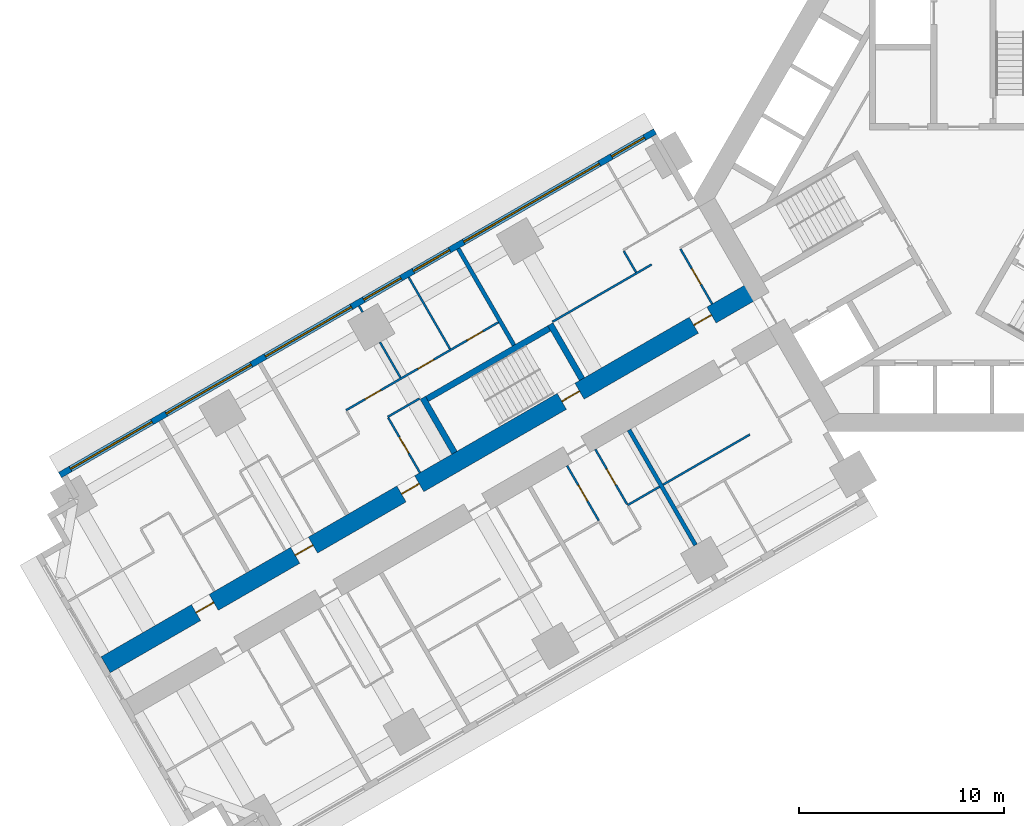
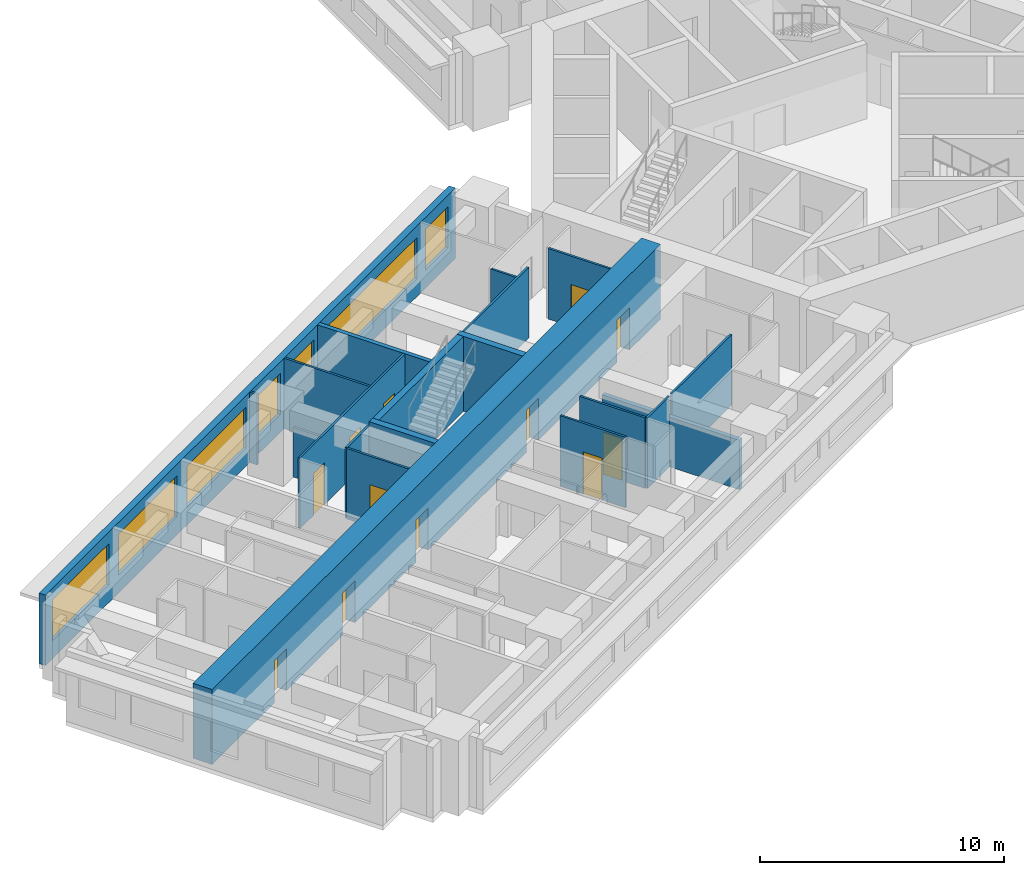
# One storey, part 5 of 16: 20 walls, 12 doors, 7 windows, 19 openings.
"""IFC4 building model written with IfcOpenShell, lengths in metres."""

import ifcopenshell
import ifcopenshell.guid

model = None  # the IFC model being written
_history = None  # IfcOwnerHistory: only IFC2X3 demands one
_inside = {}  # id of a spatial element -> (the spatial element, [elements in it])
_under = {}  # id of a project, library or spatial element -> (it, [spatial elements below it])
_declared = {}  # id of a project -> (the project, [libraries it declares])
_typed = {}  # id of a type object -> (the type object, [elements of that type])
_made_of = {}  # id of a material, layer set ... -> (it, [elements and type objects made of it])


def new_model(schema):
    """Start an empty IFC model of exactly this schema.

    Asked for "IFC4X3", IfcOpenShell would pick the latest addendum, in which some entities
    have other attributes; the version numbers below select the first issue.
    IFC2X3 requires an IfcOwnerHistory on every rooted entity: one is made here for all.
    """
    global model, _history
    if schema == "IFC4X3":
        model = ifcopenshell.file(schema_version=(4, 3, 0, 0))
    else:
        model = ifcopenshell.file(schema=schema)
    _inside.clear()
    _under.clear()
    _declared.clear()
    _typed.clear()
    _made_of.clear()
    _history = None
    if model.schema == "IFC2X3":
        org = make("IfcOrganization", Name="unknown")
        user = make(
            "IfcPersonAndOrganization",
            ThePerson=make("IfcPerson", FamilyName="unknown"),
            TheOrganization=org,
        )
        app = make(
            "IfcApplication",
            ApplicationDeveloper=org,
            Version="unknown",
            ApplicationFullName="unknown",
            ApplicationIdentifier="unknown",
        )
        _history = make(
            "IfcOwnerHistory",
            OwningUser=user,
            OwningApplication=app,
            ChangeAction="ADDED",
            CreationDate=0,
        )
    return model


def make(cls, **values):
    """One entity of the class cls with the attributes given. An attribute that is None is left unset."""
    return model.create_entity(
        cls, **{name: value for name, value in values.items() if value is not None}
    )


def rooted(cls, **values):
    """An entity with a GlobalId (a new one), such as an element, a storey or a relation."""
    return make(cls, GlobalId=ifcopenshell.guid.new(), OwnerHistory=_history, **values)


def si_unit(unit_type, name, prefix=None):
    """IfcSIUnit, for example si_unit("LENGTHUNIT", "METRE", prefix="MILLI")."""
    return make("IfcSIUnit", UnitType=unit_type, Prefix=prefix, Name=name)


def assignment(units):
    """IfcUnitAssignment: the units of a project."""
    return None if units is None else make("IfcUnitAssignment", Units=units)


def point(xyz):
    """IfcCartesianPoint."""
    return None if xyz is None else make("IfcCartesianPoint", Coordinates=xyz)


def direction(xyz):
    """IfcDirection."""
    return None if xyz is None else make("IfcDirection", DirectionRatios=xyz)


def frame(location, z_axis=None, x_axis=None):
    """IfcAxis2Placement3D, a coordinate frame: its origin and axes. An axis left out is left unset."""
    return make(
        "IfcAxis2Placement3D",
        Location=point(location),
        Axis=direction(z_axis),
        RefDirection=direction(x_axis),
    )


def frame_2d(location, x_axis=None):
    """IfcAxis2Placement2D, a coordinate frame in the plane: its origin and x axis."""
    return make(
        "IfcAxis2Placement2D", Location=point(location), RefDirection=direction(x_axis)
    )


def origin():
    """The frame at (0, 0, 0) with its axes left unset."""
    return frame((0.0, 0.0, 0.0))


def place(relative_to, where):
    """IfcLocalPlacement: puts the frame where relative to a parent placement (None: the world)."""
    return make(
        "IfcLocalPlacement", PlacementRelTo=relative_to, RelativePlacement=where
    )


def context(
    kind, dimensions, precision=None, world=None, true_north=None, identifier=None
):
    """IfcGeometricRepresentationContext, for example the 3D "Model" context."""
    return make(
        "IfcGeometricRepresentationContext",
        ContextIdentifier=identifier,
        ContextType=kind,
        CoordinateSpaceDimension=dimensions,
        Precision=precision,
        WorldCoordinateSystem=world,
        TrueNorth=true_north,
    )


def subcontext(parent, identifier, kind, view, scale=None):
    """IfcGeometricRepresentationSubContext, for example "Body" below "Model"."""
    return make(
        "IfcGeometricRepresentationSubContext",
        ContextIdentifier=identifier,
        ContextType=kind,
        ParentContext=parent,
        TargetScale=scale,
        TargetView=view,
    )


def project(units=None, contexts=None):
    """IfcProject with its units and contexts."""
    return rooted(
        "IfcProject",
        Name="project",
        RepresentationContexts=contexts,
        UnitsInContext=assignment(units),
    )


def spatial(cls, under=None, at=None, **own):
    """A site, building, storey or space (cls), placed at a placement, below another one or the project."""
    s = rooted(cls, ObjectPlacement=at, **own)
    if under is not None:
        _under.setdefault(under.id(), (under, []))[1].append(s)
    return s


def profile(cls, at=None, kind="AREA", **sizes):
    """A parametric profile (cls). Its sizes go by their IFC names, for example OverallWidth=200.0."""
    return make(cls, ProfileType=kind, Position=at, **sizes)


def rectangle(**sizes):
    """IfcRectangleProfileDef."""
    return profile("IfcRectangleProfileDef", **sizes)


def extrude(swept, where, along, depth):
    """IfcExtrudedAreaSolid: the profile swept, set in the frame where, extruded along a direction by depth."""
    return make(
        "IfcExtrudedAreaSolid",
        SweptArea=swept,
        Position=where,
        ExtrudedDirection=direction(along),
        Depth=depth,
    )


def shape(context_of_items, identifier, shape_type, items):
    """IfcShapeRepresentation: the items that make up one representation, for example the "Body"."""
    return make(
        "IfcShapeRepresentation",
        ContextOfItems=context_of_items,
        RepresentationIdentifier=identifier,
        RepresentationType=shape_type,
        Items=items,
    )


def material(Name=None, Category=None):
    """IfcMaterial."""
    return make("IfcMaterial", Name=Name, Category=Category)


def layer(
    of_material, thickness, ventilated=None, Name=None, Category=None, Priority=None
):
    """IfcMaterialLayer: one layer of a wall or slab, of a material (None: an air gap)."""
    return make(
        "IfcMaterialLayer",
        Material=of_material,
        LayerThickness=thickness,
        IsVentilated=ventilated,
        Name=Name,
        Category=Category,
        Priority=Priority,
    )


def layer_set(layers, Name=None):
    """IfcMaterialLayerSet."""
    return make("IfcMaterialLayerSet", MaterialLayers=layers, LayerSetName=Name)


def made_of(thing, what):
    """Note that an element or type object is made of a material, layer set ...; save() writes the relation."""
    if what is not None:
        _made_of.setdefault(what.id(), (what, []))[1].append(thing)
    return thing


def type_object(cls, material=None, **own):
    """A type object (cls), such as IfcWallType, which elements share."""
    return made_of(rooted(cls, **own), material)


def element(
    cls,
    number,
    at=None,
    inside=None,
    cuts=None,
    type_object=None,
    material=None,
    context=None,
    identifier="Body",
    shape_type=None,
    held_by="IfcProductDefinitionShape",
    body=None,
    shapes=None,
    **own,
):
    """One element of the class cls, such as IfcWall. Its Tag is "e" and its number.

    at: its placement. inside: the storey or other place that contains it. cuts: it is an
    opening in that element (IfcRelVoidsElement). A single representation is given by context,
    identifier, shape_type and body (its items); several are given by shapes. held_by: the class
    of the entity that holds the representations. save() writes the other relations.
    """
    e = rooted(cls, Tag="e%d" % number, ObjectPlacement=at, **own)
    if body is not None:
        shapes = [shape(context, identifier, shape_type, body)]
    if shapes is not None:
        e.Representation = make(held_by, Representations=shapes)
    if inside is not None:
        _inside.setdefault(inside.id(), (inside, []))[1].append(e)
    if cuts is not None:
        rooted(
            "IfcRelVoidsElement", RelatingBuildingElement=cuts, RelatedOpeningElement=e
        )
    if type_object is not None:
        _typed.setdefault(type_object.id(), (type_object, []))[1].append(e)
    return made_of(e, material)


def fill(opening, filler):
    """IfcRelFillsElement: the door or window that sits in an opening."""
    return rooted(
        "IfcRelFillsElement",
        RelatingOpeningElement=opening,
        RelatedBuildingElement=filler,
    )


def aggregate(whole, parts):
    """IfcRelAggregates: a whole, such as a stair, and the parts it consists of."""
    return rooted("IfcRelAggregates", RelatingObject=whole, RelatedObjects=parts)


def save(model, path):
    """Write the relations noted so far, then the file.

    IfcRelAggregates (storeys below a building ...), IfcRelContainedInSpatialStructure (elements
    in a storey), IfcRelDefinesByType, IfcRelAssociatesMaterial and IfcRelDeclares: one each for
    every whole, place, type object, material and project.
    """
    for whole, parts in _under.values():
        aggregate(whole, parts)
    for where, things in _inside.values():
        rooted(
            "IfcRelContainedInSpatialStructure",
            RelatedElements=things,
            RelatingStructure=where,
        )
    for kind, things in _typed.values():
        rooted("IfcRelDefinesByType", RelatedObjects=things, RelatingType=kind)
    for what, things in _made_of.values():
        rooted("IfcRelAssociatesMaterial", RelatedObjects=things, RelatingMaterial=what)
    for by, libraries in _declared.values():
        rooted("IfcRelDeclares", RelatingContext=by, RelatedDefinitions=libraries)
    model.write(path)


model = new_model("IFC4")

# Units and contexts
model_context = context("Model", 3, precision=1e-05, world=origin(), true_north=direction((0.0, 1.0)))
body_context = subcontext(model_context, "Body", "Model", "MODEL_VIEW")
ifc_project = project(units=[si_unit("LENGTHUNIT", "METRE"), si_unit("AREAUNIT", "SQUARE_METRE"), si_unit("VOLUMEUNIT", "CUBIC_METRE"), si_unit("PLANEANGLEUNIT", "RADIAN"), si_unit("MASSUNIT", "GRAM", prefix="KILO")], contexts=[model_context])

# Site, building, storey
site_placement = place(None, origin())
site = spatial("IfcSite", under=ifc_project, at=site_placement, CompositionType="ELEMENT")
building_placement = place(site_placement, origin())
building = spatial("IfcBuilding", under=site, at=building_placement, Name="Impinga Residences", CompositionType="ELEMENT")
storey_placement = place(building_placement, frame((0.0, 0.0, 48.5)))
storey = spatial("IfcBuildingStorey", under=building, at=storey_placement, Name="L11", CompositionType="ELEMENT", Elevation=48.5)

# Wall, openings, doors
ifc_material_1 = material(Name="Concrete C70/85", Category="concrete")
ifc_layer_1 = layer(ifc_material_1, 0.89990234375)
ifc_layer_set_1 = layer_set([ifc_layer_1], Name="Concrete C70/85")
wall_type_1 = type_object("IfcWallType", Name="BW1 corridor buttress wall, L05 to L22 900", PredefinedType="SHEAR", material=ifc_layer_set_1)
wall_1_placement = place(storey_placement, frame((-10.1103515625, -4.451416015625, 0.0), z_axis=(0.0, 0.0, 1.0), x_axis=(-0.866025284237, -0.500000207062, 0.0)))
wall_1 = element("IfcWall", 1, at=wall_1_placement, inside=storey, type_object=wall_type_1, Name="Corridor wall BW1 WD L11", PredefinedType="SHEAR", context=body_context, shape_type="SweptSolid", body=[
    extrude(rectangle(XDim=36.75, YDim=0.89990234375, at=frame_2d((18.375, 0.0))), origin(), (0.0, 0.0, 1.0), 3.75),
])
opening_1_placement = place(wall_1_placement, frame((10.0, 0.0, 0.0)))
opening_1 = element("IfcOpeningElement", 2, at=opening_1_placement, cuts=wall_1, Name="Opening D5", PredefinedType="OPENING", context=body_context, shape_type="SweptSolid", body=[
    extrude(rectangle(XDim=1.0, YDim=2.10009765625, at=frame_2d((0.5, 1.050048828125))), frame((0.0, 0.4599609375, 0.0), z_axis=(0.0, -1.0, 0.0), x_axis=(1.0, 0.0, 0.0)), (0.0, 0.0, 1.0), 0.919921875),
])
opening_2_placement = place(wall_1_placement, frame((2.550048828125, 0.0, 0.0)))
opening_2 = element("IfcOpeningElement", 3, at=opening_2_placement, cuts=wall_1, Name="Opening D1", PredefinedType="OPENING", context=body_context, shape_type="SweptSolid", body=[
    extrude(rectangle(XDim=1.0, YDim=2.10009765625, at=frame_2d((0.5, 1.050048828125))), frame((0.0, 0.4599609375, 0.0), z_axis=(0.0, -1.0, 0.0), x_axis=(1.0, 0.0, 0.0)), (0.0, 0.0, 1.0), 0.919921875),
])
opening_3_placement = place(wall_1_placement, frame((19.050048828125, 0.0, 0.0)))
opening_3 = element("IfcOpeningElement", 4, at=opening_3_placement, cuts=wall_1, Name="Opening D1", PredefinedType="OPENING", context=body_context, shape_type="SweptSolid", body=[
    extrude(rectangle(XDim=1.0, YDim=2.10009765625, at=frame_2d((0.5, 1.050048828125))), frame((0.0, 0.4599609375, 0.0), z_axis=(0.0, -1.0, 0.0), x_axis=(1.0, 0.0, 0.0)), (0.0, 0.0, 1.0), 0.919921875),
])
opening_4_placement = place(wall_1_placement, frame((25.050048828125, 0.0, 0.0)))
opening_4 = element("IfcOpeningElement", 5, at=opening_4_placement, cuts=wall_1, Name="Opening D1", PredefinedType="OPENING", context=body_context, shape_type="SweptSolid", body=[
    extrude(rectangle(XDim=1.0, YDim=2.10009765625, at=frame_2d((0.5, 1.050048828125))), frame((0.0, 0.4599609375, 0.0), z_axis=(0.0, -1.0, 0.0), x_axis=(1.0, 0.0, 0.0)), (0.0, 0.0, 1.0), 0.919921875),
])
opening_5_placement = place(wall_1_placement, frame((30.64990234375, 0.0, 0.0)))
opening_5 = element("IfcOpeningElement", 6, at=opening_5_placement, cuts=wall_1, Name="Opening D1", PredefinedType="OPENING", context=body_context, shape_type="SweptSolid", body=[
    extrude(rectangle(XDim=1.0, YDim=2.10009765625, at=frame_2d((0.5, 1.050048828125))), frame((0.0, 0.4599609375, 0.0), z_axis=(0.0, -1.0, 0.0), x_axis=(1.0, 0.0, 0.0)), (0.0, 0.0, 1.0), 0.919921875),
])
ifc_material_2 = material(Name="Timber door set", Category="wood")
door_type_1 = type_object("IfcDoorType", Name="D1 apartment entrance door 1000x2100", OperationType="SINGLE_SWING_LEFT", PredefinedType="DOOR", material=ifc_material_2)
door_1_placement = place(opening_2_placement, origin())
door_1 = element("IfcDoor", 7, at=door_1_placement, inside=storey, type_object=door_type_1, Name="Apartment L11-WF1 entrance", OperationType="SINGLE_SWING_LEFT", OverallHeight=2.10009765625, OverallWidth=1.0, PredefinedType="DOOR", context=body_context, shape_type="SweptSolid", body=[
    extrude(rectangle(XDim=1.0, YDim=2.10009765625, at=frame_2d((0.5, 1.050048828125))), frame((0.0, 0.02490234375, 0.0), z_axis=(0.0, -1.0, 0.0), x_axis=(1.0, 0.0, 0.0)), (0.0, 0.0, 1.0), 0.050048828125),
])
fill(opening_2, door_1)
door_2_placement = place(opening_3_placement, origin())
door_2 = element("IfcDoor", 8, at=door_2_placement, inside=storey, type_object=door_type_1, Name="Apartment L11-WF2 entrance", OperationType="SINGLE_SWING_RIGHT", OverallHeight=2.10009765625, OverallWidth=1.0, PredefinedType="DOOR", context=body_context, shape_type="SweptSolid", body=[
    extrude(rectangle(XDim=1.0, YDim=2.10009765625, at=frame_2d((0.5, 1.050048828125))), frame((0.0, 0.02490234375, 0.0), z_axis=(0.0, -1.0, 0.0), x_axis=(1.0, 0.0, 0.0)), (0.0, 0.0, 1.0), 0.050048828125),
])
fill(opening_3, door_2)
door_3_placement = place(opening_4_placement, origin())
door_3 = element("IfcDoor", 9, at=door_3_placement, inside=storey, type_object=door_type_1, Name="Apartment L11-WF3 entrance", OperationType="SINGLE_SWING_RIGHT", OverallHeight=2.10009765625, OverallWidth=1.0, PredefinedType="DOOR", context=body_context, shape_type="SweptSolid", body=[
    extrude(rectangle(XDim=1.0, YDim=2.10009765625, at=frame_2d((0.5, 1.050048828125))), frame((0.0, 0.02490234375, 0.0), z_axis=(0.0, -1.0, 0.0), x_axis=(1.0, 0.0, 0.0)), (0.0, 0.0, 1.0), 0.050048828125),
])
fill(opening_4, door_3)
door_4_placement = place(opening_5_placement, origin())
door_4 = element("IfcDoor", 10, at=door_4_placement, inside=storey, type_object=door_type_1, Name="Apartment L11-WF4 entrance", OperationType="SINGLE_SWING_RIGHT", OverallHeight=2.10009765625, OverallWidth=1.0, PredefinedType="DOOR", context=body_context, shape_type="SweptSolid", body=[
    extrude(rectangle(XDim=1.0, YDim=2.10009765625, at=frame_2d((0.5, 1.050048828125))), frame((0.0, 0.02490234375, 0.0), z_axis=(0.0, -1.0, 0.0), x_axis=(1.0, 0.0, 0.0)), (0.0, 0.0, 1.0), 0.050048828125),
])
fill(opening_5, door_4)
door_type_2 = type_object("IfcDoorType", Name="D5 stair door 1000x2100", OperationType="SINGLE_SWING_LEFT", PredefinedType="DOOR", material=ifc_material_2)
door_5_placement = place(opening_1_placement, origin())
door_5 = element("IfcDoor", 11, at=door_5_placement, inside=storey, type_object=door_type_2, Name="Wing stair door W", OperationType="SINGLE_SWING_LEFT", OverallHeight=2.10009765625, OverallWidth=1.0, PredefinedType="DOOR", context=body_context, shape_type="SweptSolid", body=[
    extrude(rectangle(XDim=1.0, YDim=2.10009765625, at=frame_2d((0.5, 1.050048828125))), frame((0.0, 0.02490234375, 0.0), z_axis=(0.0, -1.0, 0.0), x_axis=(1.0, 0.0, 0.0)), (0.0, 0.0, 1.0), 0.050048828125),
])
fill(opening_1, door_5)

# Wall, openings, windows
ifc_material_3 = material(Name="Terracotta rainscreen on blockwork", Category="masonry")
ifc_layer_2 = layer(ifc_material_3, 0.300048828125)
ifc_layer_set_2 = layer_set([ifc_layer_2], Name="EW1 external wall, terracotta rainscreen on blockwork 300")
wall_type_2 = type_object("IfcWallType", Name="EW1 external wall, terracotta rainscreen on blockwork 300", PredefinedType="SOLIDWALL", material=ifc_layer_set_2)
wall_2_placement = place(storey_placement, frame((-44.17333984375, -13.552490234375, 0.0), z_axis=(0.0, 0.0, 1.0), x_axis=(0.866024291668, 0.500001926238, 0.0)))
wall_2 = element("IfcWall", 12, at=wall_2_placement, inside=storey, type_object=wall_type_2, Name="External wall EW1 L11", PredefinedType="SOLIDWALL", context=body_context, shape_type="SweptSolid", body=[
    extrude(rectangle(XDim=33.599853515625, YDim=0.300048828125, at=frame_2d((16.7998046875, 0.0))), origin(), (0.0, 0.0, 1.0), 3.530029296875),
])
opening_6_placement = place(wall_2_placement, frame((0.60009765625, 0.0, 0.89990234375)))
opening_6 = element("IfcOpeningElement", 13, at=opening_6_placement, cuts=wall_2, Name="Opening W3", PredefinedType="OPENING", context=body_context, shape_type="SweptSolid", body=[
    extrude(rectangle(XDim=4.60009765625, YDim=2.050048828125, at=frame_2d((2.300048828125, 1.02490234375))), frame((0.0, 0.159912109375, 0.0), z_axis=(0.0, -1.0, 0.0), x_axis=(1.0, 0.0, 0.0)), (0.0, 0.0, 1.0), 0.320068359375),
])
opening_7_placement = place(wall_2_placement, frame((6.0, 0.0, 0.89990234375)))
opening_7 = element("IfcOpeningElement", 14, at=opening_7_placement, cuts=wall_2, Name="Opening W8", PredefinedType="OPENING", context=body_context, shape_type="SweptSolid", body=[
    extrude(rectangle(XDim=4.800048828125, YDim=2.050048828125, at=frame_2d((2.39990234375, 1.02490234375))), frame((0.0, 0.159912109375, 0.0), z_axis=(0.0, -1.0, 0.0), x_axis=(1.0, 0.0, 0.0)), (0.0, 0.0, 1.0), 0.320068359375),
])
opening_8_placement = place(wall_2_placement, frame((11.60009765625, 0.0, 0.89990234375)))
opening_8 = element("IfcOpeningElement", 15, at=opening_8_placement, cuts=wall_2, Name="Opening W6", PredefinedType="OPENING", context=body_context, shape_type="SweptSolid", body=[
    extrude(rectangle(XDim=4.85009765625, YDim=2.050048828125, at=frame_2d((2.425048828125, 1.02490234375))), frame((0.0, 0.159912109375, 0.0), z_axis=(0.0, -1.0, 0.0), x_axis=(1.0, 0.0, 0.0)), (0.0, 0.0, 1.0), 0.320068359375),
])
opening_9_placement = place(wall_2_placement, frame((17.14990234375, 0.0, 0.89990234375)))
opening_9 = element("IfcOpeningElement", 16, at=opening_9_placement, cuts=wall_2, Name="Opening W9", PredefinedType="OPENING", context=body_context, shape_type="SweptSolid", body=[
    extrude(rectangle(XDim=2.10009765625, YDim=2.050048828125, at=frame_2d((1.050048828125, 1.02490234375))), frame((0.0, 0.159912109375, 0.0), z_axis=(0.0, -1.0, 0.0), x_axis=(1.0, 0.0, 0.0)), (0.0, 0.0, 1.0), 0.320068359375),
])
opening_10_placement = place(wall_2_placement, frame((19.949951171875, 0.0, 0.89990234375)))
opening_10 = element("IfcOpeningElement", 17, at=opening_10_placement, cuts=wall_2, Name="Opening W14", PredefinedType="OPENING", context=body_context, shape_type="SweptSolid", body=[
    extrude(rectangle(XDim=2.050048828125, YDim=2.050048828125, at=frame_2d((1.02490234375, 1.02490234375))), frame((0.0, 0.159912109375, 0.0), z_axis=(0.0, -1.0, 0.0), x_axis=(1.0, 0.0, 0.0)), (0.0, 0.0, 1.0), 0.320068359375),
])
opening_11_placement = place(wall_2_placement, frame((22.800048828125, 0.0, 0.89990234375)))
opening_11 = element("IfcOpeningElement", 18, at=opening_11_placement, cuts=wall_2, Name="Opening W13", PredefinedType="OPENING", context=body_context, shape_type="SweptSolid", body=[
    extrude(rectangle(XDim=7.64990234375, YDim=2.050048828125, at=frame_2d((3.824951171875, 1.02490234375))), frame((0.0, 0.159912109375, 0.0), z_axis=(0.0, -1.0, 0.0), x_axis=(1.0, 0.0, 0.0)), (0.0, 0.0, 1.0), 0.320068359375),
])
opening_12_placement = place(wall_2_placement, frame((31.14990234375, 0.0, 0.89990234375)))
opening_12 = element("IfcOpeningElement", 19, at=opening_12_placement, cuts=wall_2, Name="Opening W15", PredefinedType="OPENING", context=body_context, shape_type="SweptSolid", body=[
    extrude(rectangle(XDim=1.85009765625, YDim=2.050048828125, at=frame_2d((0.925048828125, 1.02490234375))), frame((0.0, 0.159912109375, 0.0), z_axis=(0.0, -1.0, 0.0), x_axis=(1.0, 0.0, 0.0)), (0.0, 0.0, 1.0), 0.320068359375),
])
ifc_material_4 = material(Name="Aluminium window, clear double glazing", Category="aluminium")
window_type_1 = type_object("IfcWindowType", Name="W13 ribbon window 7650x2050", PartitioningType="SINGLE_PANEL", PredefinedType="WINDOW", material=ifc_material_4)
window_1_placement = place(opening_11_placement, origin())
window_1 = element("IfcWindow", 20, at=window_1_placement, inside=storey, type_object=window_type_1, Name="Window L11", OverallHeight=2.050048828125, OverallWidth=7.64990234375, PartitioningType="SINGLE_PANEL", PredefinedType="WINDOW", context=body_context, shape_type="SweptSolid", body=[
    extrude(rectangle(XDim=7.64990234375, YDim=2.050048828125, at=frame_2d((3.824951171875, 1.02490234375))), frame((0.0, 0.030029296875, 0.0), z_axis=(0.0, -1.0, 0.0), x_axis=(1.0, 0.0, 0.0)), (0.0, 0.0, 1.0), 0.06005859375),
])
fill(opening_11, window_1)
window_type_2 = type_object("IfcWindowType", Name="W14 ribbon window 2050x2050", PartitioningType="SINGLE_PANEL", PredefinedType="WINDOW", material=ifc_material_4)
window_2_placement = place(opening_10_placement, origin())
window_2 = element("IfcWindow", 21, at=window_2_placement, inside=storey, type_object=window_type_2, Name="Window L11", OverallHeight=2.050048828125, OverallWidth=2.050048828125, PartitioningType="SINGLE_PANEL", PredefinedType="WINDOW", context=body_context, shape_type="SweptSolid", body=[
    extrude(rectangle(XDim=2.050048828125, YDim=2.050048828125, at=frame_2d((1.02490234375, 1.02490234375))), frame((0.0, 0.030029296875, 0.0), z_axis=(0.0, -1.0, 0.0), x_axis=(1.0, 0.0, 0.0)), (0.0, 0.0, 1.0), 0.06005859375),
])
fill(opening_10, window_2)
window_type_3 = type_object("IfcWindowType", Name="W15 ribbon window 1850x2050", PartitioningType="SINGLE_PANEL", PredefinedType="WINDOW", material=ifc_material_4)
window_3_placement = place(opening_12_placement, origin())
window_3 = element("IfcWindow", 22, at=window_3_placement, inside=storey, type_object=window_type_3, Name="Window L11", OverallHeight=2.050048828125, OverallWidth=1.85009765625, PartitioningType="SINGLE_PANEL", PredefinedType="WINDOW", context=body_context, shape_type="SweptSolid", body=[
    extrude(rectangle(XDim=1.85009765625, YDim=2.050048828125, at=frame_2d((0.925048828125, 1.02490234375))), frame((0.0, 0.030029296875, 0.0), z_axis=(0.0, -1.0, 0.0), x_axis=(1.0, 0.0, 0.0)), (0.0, 0.0, 1.0), 0.06005859375),
])
fill(opening_12, window_3)
window_type_4 = type_object("IfcWindowType", Name="W3 ribbon window 4600x2050", PartitioningType="SINGLE_PANEL", PredefinedType="WINDOW", material=ifc_material_4)
window_4_placement = place(opening_6_placement, origin())
window_4 = element("IfcWindow", 23, at=window_4_placement, inside=storey, type_object=window_type_4, Name="Window L11", OverallHeight=2.050048828125, OverallWidth=4.60009765625, PartitioningType="SINGLE_PANEL", PredefinedType="WINDOW", context=body_context, shape_type="SweptSolid", body=[
    extrude(rectangle(XDim=4.60009765625, YDim=2.050048828125, at=frame_2d((2.300048828125, 1.02490234375))), frame((0.0, 0.030029296875, 0.0), z_axis=(0.0, -1.0, 0.0), x_axis=(1.0, 0.0, 0.0)), (0.0, 0.0, 1.0), 0.06005859375),
])
fill(opening_6, window_4)
window_type_5 = type_object("IfcWindowType", Name="W6 ribbon window 4850x2050", PartitioningType="SINGLE_PANEL", PredefinedType="WINDOW", material=ifc_material_4)
window_5_placement = place(opening_8_placement, origin())
window_5 = element("IfcWindow", 24, at=window_5_placement, inside=storey, type_object=window_type_5, Name="Window L11", OverallHeight=2.050048828125, OverallWidth=4.85009765625, PartitioningType="SINGLE_PANEL", PredefinedType="WINDOW", context=body_context, shape_type="SweptSolid", body=[
    extrude(rectangle(XDim=4.85009765625, YDim=2.050048828125, at=frame_2d((2.425048828125, 1.02490234375))), frame((0.0, 0.030029296875, 0.0), z_axis=(0.0, -1.0, 0.0), x_axis=(1.0, 0.0, 0.0)), (0.0, 0.0, 1.0), 0.06005859375),
])
fill(opening_8, window_5)
window_type_6 = type_object("IfcWindowType", Name="W8 ribbon window 4800x2050", PartitioningType="SINGLE_PANEL", PredefinedType="WINDOW", material=ifc_material_4)
window_6_placement = place(opening_7_placement, origin())
window_6 = element("IfcWindow", 25, at=window_6_placement, inside=storey, type_object=window_type_6, Name="Window L11", OverallHeight=2.050048828125, OverallWidth=4.800048828125, PartitioningType="SINGLE_PANEL", PredefinedType="WINDOW", context=body_context, shape_type="SweptSolid", body=[
    extrude(rectangle(XDim=4.800048828125, YDim=2.050048828125, at=frame_2d((2.39990234375, 1.02490234375))), frame((0.0, 0.030029296875, 0.0), z_axis=(0.0, -1.0, 0.0), x_axis=(1.0, 0.0, 0.0)), (0.0, 0.0, 1.0), 0.06005859375),
])
fill(opening_7, window_6)
window_type_7 = type_object("IfcWindowType", Name="W9 ribbon window 2100x2050", PartitioningType="SINGLE_PANEL", PredefinedType="WINDOW", material=ifc_material_4)
window_7_placement = place(opening_9_placement, origin())
window_7 = element("IfcWindow", 26, at=window_7_placement, inside=storey, type_object=window_type_7, Name="Window L11", OverallHeight=2.050048828125, OverallWidth=2.10009765625, PartitioningType="SINGLE_PANEL", PredefinedType="WINDOW", context=body_context, shape_type="SweptSolid", body=[
    extrude(rectangle(XDim=2.10009765625, YDim=2.050048828125, at=frame_2d((1.050048828125, 1.02490234375))), frame((0.0, 0.030029296875, 0.0), z_axis=(0.0, -1.0, 0.0), x_axis=(1.0, 0.0, 0.0)), (0.0, 0.0, 1.0), 0.06005859375),
])
fill(opening_9, window_7)

# Walls
ifc_material_5 = material(Name="Gypsum board on steel studs", Category="steel")
ifc_layer_3 = layer(ifc_material_5, 0.10009765625)
ifc_layer_set_3 = layer_set([ifc_layer_3], Name="Gypsum board on steel studs")
wall_type_3 = type_object("IfcWallType", Name="IP1 partition 100", PredefinedType="PARTITIONING", material=ifc_layer_set_3)
wall_3_placement = place(storey_placement, frame((-10.444580078125, -11.57275390625, 0.0), z_axis=(0.0, 0.0, 1.0), x_axis=(-0.866023786258, -0.500002801628, 0.0)))
element("IfcWall", 27, at=wall_3_placement, inside=storey, type_object=wall_type_3, Name="Partition L11-WA1:DIV1", PredefinedType="PARTITIONING", context=body_context, shape_type="SweptSolid", body=[
    extrude(rectangle(XDim=4.89990234375, YDim=0.10009765625, at=frame_2d((2.449951171875, 0.0))), origin(), (0.0, 0.0, 1.0), 3.530029296875),
])
wall_4_placement = place(storey_placement, frame((-14.861328125, -14.122802734375, 0.0), z_axis=(0.0, 0.0, 1.0), x_axis=(-0.866047807691, -0.499961193289, 0.0)))
element("IfcWall", 28, at=wall_4_placement, inside=storey, type_object=wall_type_3, Name="Partition L11-WA2:DIV0", PredefinedType="PARTITIONING", context=body_context, shape_type="SweptSolid", body=[
    extrude(rectangle(XDim=1.800048828125, YDim=0.10009765625, at=frame_2d((0.89990234375, 0.0))), origin(), (0.0, 0.0, 1.0), 3.530029296875),
])

# Wall, opening, door
wall_5_placement = place(storey_placement, frame((-17.9951171875, -12.294677734375, 0.0), z_axis=(0.0, 0.0, 1.0), x_axis=(0.49999285859, -0.86602952684, 0.0)))
wall_5 = element("IfcWall", 29, at=wall_5_placement, inside=storey, type_object=wall_type_3, Name="Partition L11-WA2:IB1", PredefinedType="PARTITIONING", context=body_context, shape_type="SweptSolid", body=[
    extrude(rectangle(XDim=3.10009765625, YDim=0.10009765625, at=frame_2d((1.550048828125, 0.0))), origin(), (0.0, 0.0, 1.0), 3.530029296875),
])
opening_13_placement = place(wall_5_placement, frame((1.10009765625, 0.0, 0.0)))
opening_13 = element("IfcOpeningElement", 30, at=opening_13_placement, cuts=wall_5, Name="Opening D2", PredefinedType="OPENING", context=body_context, shape_type="SweptSolid", body=[
    extrude(rectangle(XDim=0.89990234375, YDim=2.10009765625, at=frame_2d((0.449951171875, 1.050048828125))), frame((0.0, 0.06005859375, 0.0), z_axis=(0.0, -1.0, 0.0), x_axis=(1.0, 0.0, 0.0)), (0.0, 0.0, 1.0), 0.1201171875),
])
door_type_3 = type_object("IfcDoorType", Name="D2 internal door 900x2100", OperationType="SINGLE_SWING_LEFT", PredefinedType="DOOR", material=ifc_material_2)
door_6_placement = place(opening_13_placement, origin())
door_6 = element("IfcDoor", 31, at=door_6_placement, inside=storey, type_object=door_type_3, Name="Apartment L11-WA2 bathroom door", OperationType="SINGLE_SWING_LEFT", OverallHeight=2.10009765625, OverallWidth=0.89990234375, PredefinedType="DOOR", context=body_context, shape_type="SweptSolid", body=[
    extrude(rectangle(XDim=0.89990234375, YDim=2.10009765625, at=frame_2d((0.449951171875, 1.050048828125))), frame((0.0, 0.02490234375, 0.0), z_axis=(0.0, -1.0, 0.0), x_axis=(1.0, 0.0, 0.0)), (0.0, 0.0, 1.0), 0.050048828125),
])
fill(opening_13, door_6)

wall_6_placement = place(storey_placement, frame((-19.380615234375, -13.0947265625, 0.0), z_axis=(0.0, 0.0, 1.0), x_axis=(0.499967891604, -0.866043940782, 0.0)))
wall_6 = element("IfcWall", 32, at=wall_6_placement, inside=storey, type_object=wall_type_3, Name="Partition L11-WA2:IB2", PredefinedType="PARTITIONING", context=body_context, shape_type="SweptSolid", body=[
    extrude(rectangle(XDim=3.099853515625, YDim=0.10009765625, at=frame_2d((1.5498046875, 0.0))), origin(), (0.0, 0.0, 1.0), 3.530029296875),
])
opening_14_placement = place(wall_6_placement, frame((1.10009765625, 0.0, 0.0)))
opening_14 = element("IfcOpeningElement", 33, at=opening_14_placement, cuts=wall_6, Name="Opening D2", PredefinedType="OPENING", context=body_context, shape_type="SweptSolid", body=[
    extrude(rectangle(XDim=0.89990234375, YDim=2.10009765625, at=frame_2d((0.449951171875, 1.050048828125))), frame((0.0, 0.06005859375, 0.0), z_axis=(0.0, -1.0, 0.0), x_axis=(1.0, 0.0, 0.0)), (0.0, 0.0, 1.0), 0.1201171875),
])
door_7_placement = place(opening_14_placement, origin())
door_7 = element("IfcDoor", 34, at=door_7_placement, inside=storey, type_object=door_type_3, Name="Apartment L11-WA2 WC door", OperationType="SINGLE_SWING_LEFT", OverallHeight=2.10009765625, OverallWidth=0.89990234375, PredefinedType="DOOR", context=body_context, shape_type="SweptSolid", body=[
    extrude(rectangle(XDim=0.89990234375, YDim=2.10009765625, at=frame_2d((0.449951171875, 1.050048828125))), frame((0.0, 0.02490234375, 0.0), z_axis=(0.0, -1.0, 0.0), x_axis=(1.0, 0.0, 0.0)), (0.0, 0.0, 1.0), 0.050048828125),
])
fill(opening_14, door_7)

# Walls
wall_7_placement = place(storey_placement, frame((-15.244384765625, -3.2587890625, 0.0), z_axis=(0.0, 0.0, 1.0), x_axis=(-0.866026594901, -0.49999793692, 0.0)))
element("IfcWall", 35, at=wall_7_placement, inside=storey, type_object=wall_type_3, Name="Partition L11-WF1:DIV1", PredefinedType="PARTITIONING", context=body_context, shape_type="SweptSolid", body=[
    extrude(rectangle(XDim=5.60009765625, YDim=0.10009765625, at=frame_2d((2.800048828125, 0.0))), origin(), (0.0, 0.0, 1.0), 3.530029296875),
])
wall_8_placement = place(storey_placement, frame((-16.005615234375, -3.640625, 0.0), z_axis=(0.0, 0.0, 1.0), x_axis=(-0.500033551112, 0.866006032174, 0.0)))
element("IfcWall", 36, at=wall_8_placement, inside=storey, type_object=wall_type_3, Name="Partition L11-WF1:SE1", PredefinedType="PARTITIONING", context=body_context, shape_type="SweptSolid", body=[
    extrude(rectangle(XDim=1.2001953125, YDim=0.10009765625, at=frame_2d((0.60009765625, 0.0))), origin(), (0.0, 0.0, 1.0), 3.530029296875),
])

# Wall, opening, door
wall_9_placement = place(storey_placement, frame((-12.283935546875, -5.186767578125, 0.0), z_axis=(0.0, 0.0, 1.0), x_axis=(-0.499967891604, 0.866043940782, 0.0)))
wall_9 = element("IfcWall", 37, at=wall_9_placement, inside=storey, type_object=wall_type_3, Name="Partition L11-WF1:IB1", PredefinedType="PARTITIONING", context=body_context, shape_type="SweptSolid", body=[
    extrude(rectangle(XDim=3.099853515625, YDim=0.10009765625, at=frame_2d((1.5498046875, 0.0))), origin(), (0.0, 0.0, 1.0), 3.530029296875),
])
opening_15_placement = place(wall_9_placement, frame((1.10009765625, 0.0, 0.0)))
opening_15 = element("IfcOpeningElement", 38, at=opening_15_placement, cuts=wall_9, Name="Opening D2", PredefinedType="OPENING", context=body_context, shape_type="SweptSolid", body=[
    extrude(rectangle(XDim=0.89990234375, YDim=2.10009765625, at=frame_2d((0.449951171875, 1.050048828125))), frame((0.0, 0.06005859375, 0.0), z_axis=(0.0, -1.0, 0.0), x_axis=(1.0, 0.0, 0.0)), (0.0, 0.0, 1.0), 0.1201171875),
])
door_8_placement = place(opening_15_placement, origin())
door_8 = element("IfcDoor", 39, at=door_8_placement, inside=storey, type_object=door_type_3, Name="Apartment L11-WF1 bathroom door", OperationType="SINGLE_SWING_LEFT", OverallHeight=2.10009765625, OverallWidth=0.89990234375, PredefinedType="DOOR", context=body_context, shape_type="SweptSolid", body=[
    extrude(rectangle(XDim=0.89990234375, YDim=2.10009765625, at=frame_2d((0.449951171875, 1.050048828125))), frame((0.0, 0.02490234375, 0.0), z_axis=(0.0, -1.0, 0.0), x_axis=(1.0, 0.0, 0.0)), (0.0, 0.0, 1.0), 0.050048828125),
])
fill(opening_15, door_8)

# Wall
wall_10_placement = place(storey_placement, frame((-26.58935546875, -9.808837890625, 0.0), z_axis=(0.0, 0.0, 1.0), x_axis=(-0.866047807691, -0.499961193289, 0.0)))
element("IfcWall", 40, at=wall_10_placement, inside=storey, type_object=wall_type_3, Name="Partition L11-WF2:DIV0", PredefinedType="PARTITIONING", context=body_context, shape_type="SweptSolid", body=[
    extrude(rectangle(XDim=1.800048828125, YDim=0.10009765625, at=frame_2d((0.89990234375, 0.0))), origin(), (0.0, 0.0, 1.0), 3.530029296875),
])

# Wall, openings, doors
wall_11_placement = place(storey_placement, frame((-22.736083984375, -6.0830078125, 0.0), z_axis=(0.0, 0.0, 1.0), x_axis=(-0.866021068297, -0.500007509209, 0.0)))
wall_11 = element("IfcWall", 41, at=wall_11_placement, inside=storey, type_object=wall_type_3, Name="Partition L11-WF2:STRIP", PredefinedType="PARTITIONING", context=body_context, shape_type="SweptSolid", body=[
    extrude(rectangle(XDim=8.599853515625, YDim=0.10009765625, at=frame_2d((4.2998046875, 0.0))), origin(), (0.0, 0.0, 1.0), 3.530029296875),
])
opening_16_placement = place(wall_11_placement, frame((0.875, 0.0, 0.0)))
opening_16 = element("IfcOpeningElement", 42, at=opening_16_placement, cuts=wall_11, Name="Opening D2", PredefinedType="OPENING", context=body_context, shape_type="SweptSolid", body=[
    extrude(rectangle(XDim=0.89990234375, YDim=2.10009765625, at=frame_2d((0.449951171875, 1.050048828125))), frame((0.0, 0.06005859375, 0.0), z_axis=(0.0, -1.0, 0.0), x_axis=(1.0, 0.0, 0.0)), (0.0, 0.0, 1.0), 0.1201171875),
])
opening_17_placement = place(wall_11_placement, frame((3.64990234375, 0.0, 0.0)))
opening_17 = element("IfcOpeningElement", 43, at=opening_17_placement, cuts=wall_11, Name="Opening D2", PredefinedType="OPENING", context=body_context, shape_type="SweptSolid", body=[
    extrude(rectangle(XDim=0.89990234375, YDim=2.10009765625, at=frame_2d((0.449951171875, 1.050048828125))), frame((0.0, 0.06005859375, 0.0), z_axis=(0.0, -1.0, 0.0), x_axis=(1.0, 0.0, 0.0)), (0.0, 0.0, 1.0), 0.1201171875),
])
opening_18_placement = place(wall_11_placement, frame((6.625, 0.0, 0.0)))
opening_18 = element("IfcOpeningElement", 44, at=opening_18_placement, cuts=wall_11, Name="Opening D2", PredefinedType="OPENING", context=body_context, shape_type="SweptSolid", body=[
    extrude(rectangle(XDim=0.89990234375, YDim=2.10009765625, at=frame_2d((0.449951171875, 1.050048828125))), frame((0.0, 0.06005859375, 0.0), z_axis=(0.0, -1.0, 0.0), x_axis=(1.0, 0.0, 0.0)), (0.0, 0.0, 1.0), 0.1201171875),
])
door_9_placement = place(opening_16_placement, origin())
door_9 = element("IfcDoor", 45, at=door_9_placement, inside=storey, type_object=door_type_3, Name="Apartment L11-WF2 room door", OperationType="SINGLE_SWING_LEFT", OverallHeight=2.10009765625, OverallWidth=0.89990234375, PredefinedType="DOOR", context=body_context, shape_type="SweptSolid", body=[
    extrude(rectangle(XDim=0.89990234375, YDim=2.10009765625, at=frame_2d((0.449951171875, 1.050048828125))), frame((0.0, 0.02490234375, 0.0), z_axis=(0.0, -1.0, 0.0), x_axis=(1.0, 0.0, 0.0)), (0.0, 0.0, 1.0), 0.050048828125),
])
fill(opening_16, door_9)
door_10_placement = place(opening_17_placement, origin())
door_10 = element("IfcDoor", 46, at=door_10_placement, inside=storey, type_object=door_type_3, Name="Apartment L11-WF2 room door", OperationType="SINGLE_SWING_LEFT", OverallHeight=2.10009765625, OverallWidth=0.89990234375, PredefinedType="DOOR", context=body_context, shape_type="SweptSolid", body=[
    extrude(rectangle(XDim=0.89990234375, YDim=2.10009765625, at=frame_2d((0.449951171875, 1.050048828125))), frame((0.0, 0.02490234375, 0.0), z_axis=(0.0, -1.0, 0.0), x_axis=(1.0, 0.0, 0.0)), (0.0, 0.0, 1.0), 0.050048828125),
])
fill(opening_17, door_10)
door_11_placement = place(opening_18_placement, origin())
door_11 = element("IfcDoor", 47, at=door_11_placement, inside=storey, type_object=door_type_3, Name="Apartment L11-WF2 room door", OperationType="SINGLE_SWING_RIGHT", OverallHeight=2.10009765625, OverallWidth=0.89990234375, PredefinedType="DOOR", context=body_context, shape_type="SweptSolid", body=[
    extrude(rectangle(XDim=0.89990234375, YDim=2.10009765625, at=frame_2d((0.449951171875, 1.050048828125))), frame((0.0, 0.02490234375, 0.0), z_axis=(0.0, -1.0, 0.0), x_axis=(1.0, 0.0, 0.0)), (0.0, 0.0, 1.0), 0.050048828125),
])
fill(opening_18, door_11)

# Wall, opening, door
wall_12_placement = place(storey_placement, frame((-26.5732421875, -13.436767578125, 0.0), z_axis=(0.0, 0.0, 1.0), x_axis=(-0.500026960575, 0.86600983753, 0.0)))
wall_12 = element("IfcWall", 48, at=wall_12_placement, inside=storey, type_object=wall_type_3, Name="Partition L11-WF2:IB1", PredefinedType="PARTITIONING", context=body_context, shape_type="SweptSolid", body=[
    extrude(rectangle(XDim=3.099853515625, YDim=0.10009765625, at=frame_2d((1.5498046875, 0.0))), origin(), (0.0, 0.0, 1.0), 3.530029296875),
])
opening_19_placement = place(wall_12_placement, frame((1.10009765625, 0.0, 0.0)))
opening_19 = element("IfcOpeningElement", 49, at=opening_19_placement, cuts=wall_12, Name="Opening D2", PredefinedType="OPENING", context=body_context, shape_type="SweptSolid", body=[
    extrude(rectangle(XDim=0.89990234375, YDim=2.10009765625, at=frame_2d((0.449951171875, 1.050048828125))), frame((0.0, 0.06005859375, 0.0), z_axis=(0.0, -1.0, 0.0), x_axis=(1.0, 0.0, 0.0)), (0.0, 0.0, 1.0), 0.1201171875),
])
door_12_placement = place(opening_19_placement, origin())
door_12 = element("IfcDoor", 50, at=door_12_placement, inside=storey, type_object=door_type_3, Name="Apartment L11-WF2 bathroom door", OperationType="SINGLE_SWING_LEFT", OverallHeight=2.10009765625, OverallWidth=0.89990234375, PredefinedType="DOOR", context=body_context, shape_type="SweptSolid", body=[
    extrude(rectangle(XDim=0.89990234375, YDim=2.10009765625, at=frame_2d((0.449951171875, 1.050048828125))), frame((0.0, 0.02490234375, 0.0), z_axis=(0.0, -1.0, 0.0), x_axis=(1.0, 0.0, 0.0)), (0.0, 0.0, 1.0), 0.050048828125),
])
fill(opening_19, door_12)

# Walls
wall_13_placement = place(storey_placement, frame((-25.099365234375, -7.3896484375, 0.0), z_axis=(0.0, 0.0, 1.0), x_axis=(-0.499990325971, 0.866030989016, 0.0)))
element("IfcWall", 51, at=wall_13_placement, inside=storey, type_object=wall_type_3, Name="Partition L11-WF2:OB1", PredefinedType="PARTITIONING", context=body_context, shape_type="SweptSolid", body=[
    extrude(rectangle(XDim=4.0498046875, YDim=0.10009765625, at=frame_2d((2.02490234375, 0.0))), origin(), (0.0, 0.0, 1.0), 3.530029296875),
])
wall_14_placement = place(storey_placement, frame((-27.524169921875, -8.789794921875, 0.0), z_axis=(0.0, 0.0, 1.0), x_axis=(-0.499972520799, 0.866041268327, 0.0)))
element("IfcWall", 52, at=wall_14_placement, inside=storey, type_object=wall_type_3, Name="Partition L11-WF2:OB2", PredefinedType="PARTITIONING", context=body_context, shape_type="SweptSolid", body=[
    extrude(rectangle(XDim=2.0, YDim=0.10009765625, at=frame_2d((1.0, 0.0))), origin(), (0.0, 0.0, 1.0), 2.47998046875),
])
wall_15_placement = place(storey_placement, frame((-29.374267578125, -5.58544921875, 0.0), z_axis=(0.0, 0.0, 1.0), x_axis=(-0.49996389635, 0.866046247233, 0.0)))
element("IfcWall", 53, at=wall_15_placement, inside=storey, type_object=wall_type_3, Name="Partition L11-WF2:OB2b", PredefinedType="PARTITIONING", context=body_context, shape_type="SweptSolid", body=[
    extrude(rectangle(XDim=0.35009765625, YDim=0.10009765625, at=frame_2d((0.175048828125, 0.0))), origin(), (0.0, 0.0, 1.0), 3.530029296875),
])
ifc_material_6 = material(Name="Concrete blockwork", Category="masonry")
ifc_layer_4 = layer(ifc_material_6, 0.199951171875)
ifc_layer_set_4 = layer_set([ifc_layer_4], Name="PW1 party wall between apartments 200")
wall_type_4 = type_object("IfcWallType", Name="PW1 party wall between apartments 200", PredefinedType="SOLIDWALL", material=ifc_layer_set_4)
wall_16_placement = place(storey_placement, frame((-16.349609375, -11.3447265625, 0.0), z_axis=(0.0, 0.0, 1.0), x_axis=(0.50000098154, -0.866024837091, 0.0)))
element("IfcWall", 54, at=wall_16_placement, inside=storey, type_object=wall_type_4, Name="Party wall between apartments L11-WA1:PARTY", PredefinedType="SOLIDWALL", context=body_context, shape_type="SweptSolid", body=[
    extrude(rectangle(XDim=6.5, YDim=0.199951171875, at=frame_2d((3.25, 0.0))), origin(), (0.0, 0.0, 1.0), 2.47998046875),
])
wall_17_placement = place(storey_placement, frame((-21.974365234375, -7.2021484375, 0.0), z_axis=(0.0, 0.0, 1.0), x_axis=(-0.500022328685, 0.866012511928, 0.0)))
element("IfcWall", 55, at=wall_17_placement, inside=storey, type_object=wall_type_4, Name="Party wall between apartments L11-WF1:PARTY", PredefinedType="SOLIDWALL", context=body_context, shape_type="SweptSolid", body=[
    extrude(rectangle(XDim=5.449951171875, YDim=0.199951171875, at=frame_2d((2.72509765625, 0.0))), origin(), (0.0, 0.0, 1.0), 3.530029296875),
])
ifc_material_7 = material(Name="Concrete C60/75", Category="concrete")
ifc_layer_5 = layer(ifc_material_7, 0.300048828125)
ifc_layer_set_5 = layer_set([ifc_layer_5], Name="Concrete C60/75")
wall_type_5 = type_object("IfcWallType", Name="SE1 wing stair enclosure wall 300", PredefinedType="SOLIDWALL", material=ifc_layer_set_5)
wall_18_placement = place(storey_placement, frame((-18.649169921875, -8.86181640625, 0.0), z_axis=(0.0, 0.0, 1.0), x_axis=(-0.500026960575, 0.86600983753, 0.0)))
element("IfcWall", 56, at=wall_18_placement, inside=storey, type_object=wall_type_5, Name="Stair enclosure wall SE1 W END0 L11", PredefinedType="SOLIDWALL", context=body_context, shape_type="SweptSolid", body=[
    extrude(rectangle(XDim=3.099853515625, YDim=0.300048828125, at=frame_2d((1.5498046875, 0.0))), origin(), (0.0, 0.0, 1.0), 3.75),
])
wall_19_placement = place(storey_placement, frame((-24.884521484375, -12.4619140625, 0.0), z_axis=(0.0, 0.0, 1.0), x_axis=(-0.49999285859, 0.86602952684, 0.0)))
element("IfcWall", 57, at=wall_19_placement, inside=storey, type_object=wall_type_5, Name="Stair enclosure wall SE1 W END1 L11", PredefinedType="SOLIDWALL", context=body_context, shape_type="SweptSolid", body=[
    extrude(rectangle(XDim=3.10009765625, YDim=0.300048828125, at=frame_2d((1.550048828125, 0.0))), origin(), (0.0, 0.0, 1.0), 3.75),
])
wall_20_placement = place(storey_placement, frame((-20.254150390625, -6.382080078125, 0.0), z_axis=(0.0, 0.0, 1.0), x_axis=(-0.866020008033, -0.500009345598, 0.0)))
element("IfcWall", 58, at=wall_20_placement, inside=storey, type_object=wall_type_5, Name="Stair enclosure wall SE1 W OUT L11", PredefinedType="SOLIDWALL", context=body_context, shape_type="SweptSolid", body=[
    extrude(rectangle(XDim=6.899658203125, YDim=0.300048828125, at=frame_2d((3.44970703125, 0.0))), origin(), (0.0, 0.0, 1.0), 3.75),
])

save(model, "model.ifc")
